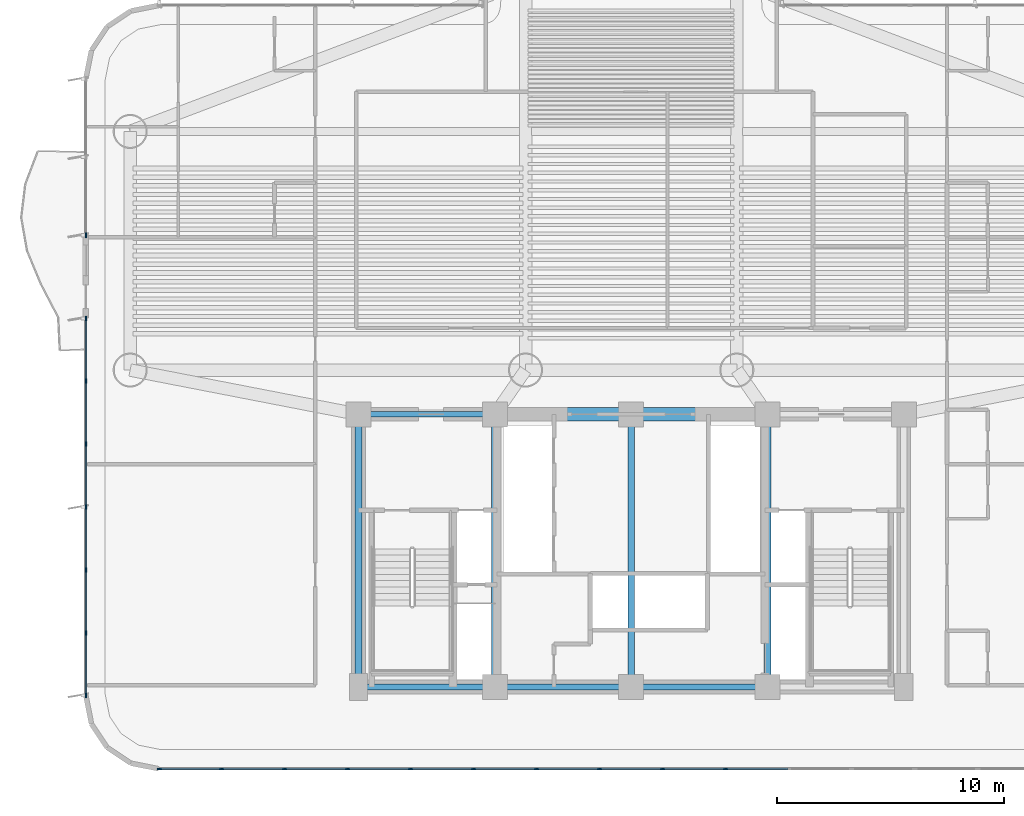
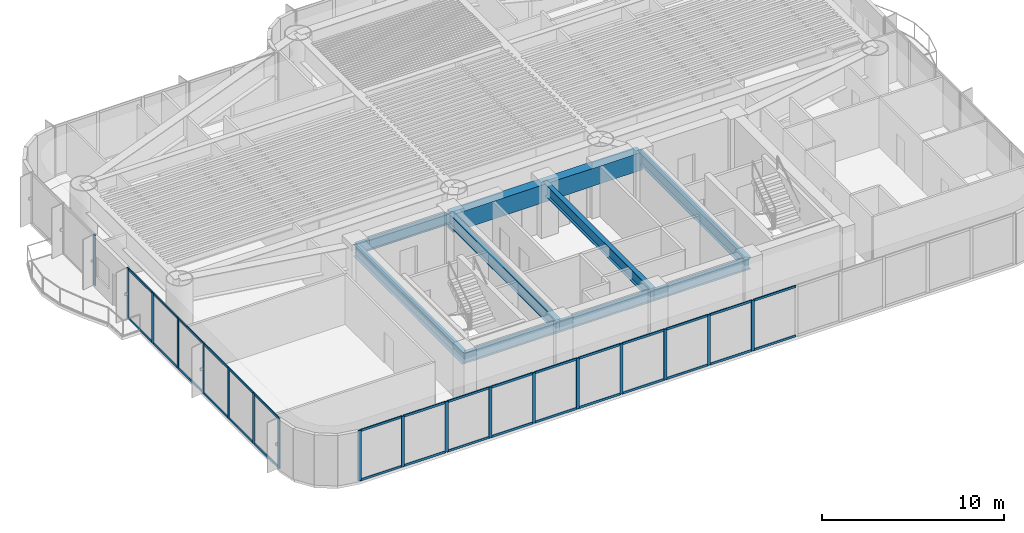
# One storey, part 2 of 17: 50 members, 9 beams, 3 elements without a shape of their own.
"""IFC4 building model written with IfcOpenShell, lengths in metres."""

from ifc_helpers import new_model, si_unit, direction, frame, origin, origin_2d, place, context, subcontext, project, spatial, rectangle, i_section, extrude, source, transform, mapped, material, layer, layer_set, material_profile, profile_set, type_object, element, aggregate, save


model = new_model("IFC4")

# Units and contexts
model_context = context("Model", 3, precision=1e-05, world=origin(), true_north=direction((0.0, 1.0)))
body_context = subcontext(model_context, "Body", "Model", "MODEL_VIEW")
ifc_project = project(units=[si_unit("LENGTHUNIT", "METRE"), si_unit("AREAUNIT", "SQUARE_METRE"), si_unit("VOLUMEUNIT", "CUBIC_METRE"), si_unit("PLANEANGLEUNIT", "RADIAN"), si_unit("MASSUNIT", "GRAM", prefix="KILO")], contexts=[model_context])

# Site, building, storey
site_placement = place(None, origin())
site = spatial("IfcSite", under=ifc_project, at=site_placement, CompositionType="ELEMENT")
building_placement = place(site_placement, origin())
building = spatial("IfcBuilding", under=site, at=building_placement, Name="Brelvock Crest Care Tower", CompositionType="ELEMENT")
storey_placement = place(building_placement, frame((0.0, 0.0, 76.139892578125)))
storey = spatial("IfcBuildingStorey", under=building, at=storey_placement, Name="L19", CompositionType="ELEMENT", Elevation=76.139892578125)

# Beams
ifc_material_1 = material(Name="Concrete S80 (80 MPa)", Category="concrete")
ifc_material_profile_1 = material_profile(ifc_material_1, rectangle(XDim=0.60009765625, YDim=1.199951171875, at=origin_2d()), Name="RC600x1200")
ifc_profile_set_1 = profile_set([ifc_material_profile_1], Name="Concrete S80 (80 MPa)")
beam_type_1 = type_object("IfcBeamType", Name="BM-LN1", PredefinedType="LINTEL", material=ifc_profile_set_1)
shared_shape_1 = source(origin(), body_context, "Body", "SweptSolid", [
    extrude(rectangle(XDim=0.60009765625, YDim=1.199951171875, at=origin_2d()), origin(), (0.0, 0.0, 1.0), 12.0),
])
beam_placement = place(storey_placement, frame((30.0, 18.0, 2.772216796875), z_axis=(1.0, 0.0, 0.0), x_axis=(0.0, 1.0, 0.0)))
element("IfcBeam", 1, at=beam_placement, inside=storey, type_object=beam_type_1, Name="L19 Core Coupling Lintel Beam", PredefinedType="LINTEL", context=body_context, shape_type="MappedRepresentation", body=[
    mapped(shared_shape_1, transform((0.0, 0.0, 0.0), x_axis=(1.0, 0.0, 0.0), y_axis=(0.0, 1.0, 0.0), z_axis=(0.0, 0.0, 1.0), scale=1.0)),
])
ifc_material_2 = material(Name="Steel Grade 350", Category="steel")
ifc_material_profile_2 = material_profile(ifc_material_2, i_section(OverallWidth=0.25, OverallDepth=0.699951171875, WebThickness=0.011962890625, FlangeThickness=0.02001953125, at=origin_2d()), Name="700WB150")
ifc_profile_set_2 = profile_set([ifc_material_profile_2], Name="Steel Grade 350")
beam_type_2 = type_object("IfcBeamType", Name="BM-G4", PredefinedType="BEAM", material=ifc_profile_set_2)
shared_shape_2 = source(origin(), body_context, "Body", "SweptSolid", [
    extrude(i_section(OverallWidth=0.25, OverallDepth=0.699951171875, WebThickness=0.011962890625, FlangeThickness=0.02001953125, at=origin_2d()), origin(), (0.0, 0.0, 1.0), 6.0),
])
for number, where, z_axis, x_axis, name in (
    (2, (24.0, 6.0, 3.022216796875), (1.0, 0.0, 0.0), (0.0, 1.0, 0.0), "BM-CORES-L19-1"),
    (3, (24.0, 18.0, 3.022216796875), (1.0, 0.0, 0.0), (0.0, 1.0, 0.0), "BM-COREN-L19-1"),
    (4, (30.0, 6.0, 3.022216796875), (1.0, 0.0, 0.0), (0.0, 1.0, 0.0), "BM-CORES-L19-2"),
    (5, (36.0, 6.0, 3.022216796875), (1.0, 0.0, 0.0), (0.0, 1.0, 0.0), "BM-CORES-L19-3"),
):
    element("IfcBeam", number, at=place(storey_placement, frame(where, z_axis=z_axis, x_axis=x_axis)), inside=storey, type_object=beam_type_2, Name=name, PredefinedType="BEAM", context=body_context, shape_type="MappedRepresentation", body=[
        mapped(shared_shape_2, transform((0.0, 0.0, 0.0), x_axis=(1.0, 0.0, 0.0), y_axis=(0.0, 1.0, 0.0), z_axis=(0.0, 0.0, 1.0), scale=1.0)),
    ])
ifc_material_profile_3 = material_profile(ifc_material_2, i_section(OverallWidth=0.300048828125, OverallDepth=0.800048828125, WebThickness=0.013916015625, FlangeThickness=0.02197265625, at=origin_2d()), Name="800WB192")
ifc_profile_set_3 = profile_set([ifc_material_profile_3], Name="Steel Grade 350")
beam_type_3 = type_object("IfcBeamType", Name="BM-G5", PredefinedType="BEAM", material=ifc_profile_set_3)
shared_shape_3 = source(origin(), body_context, "Body", "SweptSolid", [
    extrude(i_section(OverallWidth=0.300048828125, OverallDepth=0.800048828125, WebThickness=0.013916015625, FlangeThickness=0.02197265625, at=origin_2d()), origin(), (0.0, 0.0, 1.0), 12.0),
])
for number, where, z_axis, x_axis, name in (
    (6, (24.0, 6.0, 2.97216796875), (0.0, 1.0, 0.0), (-1.0, 0.0, 0.0), "BM-COREX-L19-1"),
    (7, (30.0, 6.0, 2.97216796875), (0.0, 1.0, 0.0), (-1.0, 0.0, 0.0), "BM-COREX-L19-2"),
    (8, (36.0, 6.0, 2.97216796875), (0.0, 1.0, 0.0), (-1.0, 0.0, 0.0), "BM-COREX-L19-3"),
    (9, (42.0, 6.0, 2.97216796875), (0.0, 1.0, 0.0), (-1.0, 0.0, 0.0), "BM-COREX-L19-4"),
):
    element("IfcBeam", number, at=place(storey_placement, frame(where, z_axis=z_axis, x_axis=x_axis)), inside=storey, type_object=beam_type_3, Name=name, PredefinedType="BEAM", context=body_context, shape_type="MappedRepresentation", body=[
        mapped(shared_shape_3, transform((0.0, 0.0, 0.0), x_axis=(1.0, 0.0, 0.0), y_axis=(0.0, 1.0, 0.0), z_axis=(0.0, 0.0, 1.0), scale=1.0)),
    ])

# Curtain wall, members
ifc_material_3 = material(Name="Dark Glass Double Glazed Low-E", Category="glass")
ifc_layer = layer(ifc_material_3, 0.195068359375, Name="CWS-2")
ifc_layer_set = layer_set([ifc_layer], Name="Dark Glass Double Glazed Low-E")
curtain_wall_type = type_object("IfcCurtainWallType", Name="CWS-2", PredefinedType="NOTDEFINED", material=ifc_layer_set)
curtain_wall_1_placement = place(storey_placement, origin())
curtain_wall_1 = element("IfcCurtainWall", 10, at=curtain_wall_1_placement, inside=storey, type_object=curtain_wall_type, Name="L19 Curtain Wall E08", PredefinedType="NOTDEFINED")
ifc_material_4 = material(Name="Aluminium 6063-T6", Category="aluminium")
ifc_material_profile_4 = material_profile(ifc_material_4, rectangle(XDim=0.06494140625, YDim=0.14990234375, at=origin_2d()), Name="ALU65x150")
ifc_profile_set_4 = profile_set([ifc_material_profile_4], Name="Aluminium 6063-T6")
member_type_1 = type_object("IfcMemberType", Name="CWT-1", PredefinedType="USERDEFINED", material=ifc_profile_set_4)
shared_shape_4 = source(origin(), body_context, "Body", "SweptSolid", [
    extrude(rectangle(XDim=0.06494140625, YDim=0.14990234375, at=origin_2d()), origin(), (0.0, 0.0, 1.0), 2.676025390625),
])
member_1_placement = place(storey_placement, frame((17.94091796875, 2.39990234375, 0.03271484375), z_axis=(-1.0, 0.0, 0.0), x_axis=(0.0, -1.0, 0.0)))
member_1 = element("IfcMember", 11, at=member_1_placement, type_object=member_type_1, Name="CW-2 transom 15.1", ObjectType="TRANSOM", PredefinedType="USERDEFINED", context=body_context, shape_type="MappedRepresentation", body=[
    mapped(shared_shape_4, transform((0.0, 0.0, 0.0), x_axis=(1.0, 0.0, 0.0), y_axis=(0.0, 1.0, 0.0), z_axis=(0.0, 0.0, 1.0), scale=1.0)),
])
member_2_placement = place(storey_placement, frame((17.94091796875, 2.39990234375, 3.339599609375), z_axis=(-1.0, 0.0, 0.0), x_axis=(0.0, -1.0, 0.0)))
member_2 = element("IfcMember", 12, at=member_2_placement, type_object=member_type_1, Name="CW-2 transom 15.2", ObjectType="TRANSOM", PredefinedType="USERDEFINED", context=body_context, shape_type="MappedRepresentation", body=[
    mapped(shared_shape_4, transform((0.0, 0.0, 0.0), x_axis=(1.0, 0.0, 0.0), y_axis=(0.0, 1.0, 0.0), z_axis=(0.0, 0.0, 1.0), scale=1.0)),
])
shared_shape_5 = source(origin(), body_context, "Body", "SweptSolid", [
    extrude(rectangle(XDim=0.06494140625, YDim=0.14990234375, at=origin_2d()), origin(), (0.0, 0.0, 1.0), 2.708251953125),
])
member_3_placement = place(storey_placement, frame((40.12744140625, 2.39990234375, 0.03271484375), z_axis=(-1.0, 0.0, 0.0), x_axis=(0.0, -1.0, 0.0)))
member_3 = element("IfcMember", 13, at=member_3_placement, type_object=member_type_1, Name="CW-2 transom 7.1", ObjectType="TRANSOM", PredefinedType="USERDEFINED", context=body_context, shape_type="MappedRepresentation", body=[
    mapped(shared_shape_5, transform((0.0, 0.0, 0.0), x_axis=(1.0, 0.0, 0.0), y_axis=(0.0, 1.0, 0.0), z_axis=(0.0, 0.0, 1.0), scale=1.0)),
])
member_4_placement = place(storey_placement, frame((40.12744140625, 2.39990234375, 3.339599609375), z_axis=(-1.0, 0.0, 0.0), x_axis=(0.0, -1.0, 0.0)))
member_4 = element("IfcMember", 14, at=member_4_placement, type_object=member_type_1, Name="CW-2 transom 7.2", ObjectType="TRANSOM", PredefinedType="USERDEFINED", context=body_context, shape_type="MappedRepresentation", body=[
    mapped(shared_shape_5, transform((0.0, 0.0, 0.0), x_axis=(1.0, 0.0, 0.0), y_axis=(0.0, 1.0, 0.0), z_axis=(0.0, 0.0, 1.0), scale=1.0)),
])
member_5_placement = place(storey_placement, frame((34.580810546875, 2.39990234375, 0.03271484375), z_axis=(-1.0, 0.0, 0.0), x_axis=(0.0, -1.0, 0.0)))
member_5 = element("IfcMember", 15, at=member_5_placement, type_object=member_type_1, Name="CW-2 transom 9.1", ObjectType="TRANSOM", PredefinedType="USERDEFINED", context=body_context, shape_type="MappedRepresentation", body=[
    mapped(shared_shape_5, transform((0.0, 0.0, 0.0), x_axis=(1.0, 0.0, 0.0), y_axis=(0.0, 1.0, 0.0), z_axis=(0.0, 0.0, 1.0), scale=1.0)),
])
member_6_placement = place(storey_placement, frame((34.580810546875, 2.39990234375, 3.339599609375), z_axis=(-1.0, 0.0, 0.0), x_axis=(0.0, -1.0, 0.0)))
member_6 = element("IfcMember", 16, at=member_6_placement, type_object=member_type_1, Name="CW-2 transom 9.2", ObjectType="TRANSOM", PredefinedType="USERDEFINED", context=body_context, shape_type="MappedRepresentation", body=[
    mapped(shared_shape_5, transform((0.0, 0.0, 0.0), x_axis=(1.0, 0.0, 0.0), y_axis=(0.0, 1.0, 0.0), z_axis=(0.0, 0.0, 1.0), scale=1.0)),
])
member_7_placement = place(storey_placement, frame((29.0341796875, 2.39990234375, 0.03271484375), z_axis=(-1.0, 0.0, 0.0), x_axis=(0.0, -1.0, 0.0)))
member_7 = element("IfcMember", 17, at=member_7_placement, type_object=member_type_1, Name="CW-2 transom 11.1", ObjectType="TRANSOM", PredefinedType="USERDEFINED", context=body_context, shape_type="MappedRepresentation", body=[
    mapped(shared_shape_5, transform((0.0, 0.0, 0.0), x_axis=(1.0, 0.0, 0.0), y_axis=(0.0, 1.0, 0.0), z_axis=(0.0, 0.0, 1.0), scale=1.0)),
])
member_8_placement = place(storey_placement, frame((29.0341796875, 2.39990234375, 3.339599609375), z_axis=(-1.0, 0.0, 0.0), x_axis=(0.0, -1.0, 0.0)))
member_8 = element("IfcMember", 18, at=member_8_placement, type_object=member_type_1, Name="CW-2 transom 11.2", ObjectType="TRANSOM", PredefinedType="USERDEFINED", context=body_context, shape_type="MappedRepresentation", body=[
    mapped(shared_shape_5, transform((0.0, 0.0, 0.0), x_axis=(1.0, 0.0, 0.0), y_axis=(0.0, 1.0, 0.0), z_axis=(0.0, 0.0, 1.0), scale=1.0)),
])
member_9_placement = place(storey_placement, frame((26.2607421875, 2.39990234375, 0.03271484375), z_axis=(-1.0, 0.0, 0.0), x_axis=(0.0, -1.0, 0.0)))
member_9 = element("IfcMember", 19, at=member_9_placement, type_object=member_type_1, Name="CW-2 transom 12.1", ObjectType="TRANSOM", PredefinedType="USERDEFINED", context=body_context, shape_type="MappedRepresentation", body=[
    mapped(shared_shape_5, transform((0.0, 0.0, 0.0), x_axis=(1.0, 0.0, 0.0), y_axis=(0.0, 1.0, 0.0), z_axis=(0.0, 0.0, 1.0), scale=1.0)),
])
member_10_placement = place(storey_placement, frame((26.2607421875, 2.39990234375, 3.339599609375), z_axis=(-1.0, 0.0, 0.0), x_axis=(0.0, -1.0, 0.0)))
member_10 = element("IfcMember", 20, at=member_10_placement, type_object=member_type_1, Name="CW-2 transom 12.2", ObjectType="TRANSOM", PredefinedType="USERDEFINED", context=body_context, shape_type="MappedRepresentation", body=[
    mapped(shared_shape_5, transform((0.0, 0.0, 0.0), x_axis=(1.0, 0.0, 0.0), y_axis=(0.0, 1.0, 0.0), z_axis=(0.0, 0.0, 1.0), scale=1.0)),
])
member_11_placement = place(storey_placement, frame((20.714111328125, 2.39990234375, 0.03271484375), z_axis=(-1.0, 0.0, 0.0), x_axis=(0.0, -1.0, 0.0)))
member_11 = element("IfcMember", 21, at=member_11_placement, type_object=member_type_1, Name="CW-2 transom 14.1", ObjectType="TRANSOM", PredefinedType="USERDEFINED", context=body_context, shape_type="MappedRepresentation", body=[
    mapped(shared_shape_5, transform((0.0, 0.0, 0.0), x_axis=(1.0, 0.0, 0.0), y_axis=(0.0, 1.0, 0.0), z_axis=(0.0, 0.0, 1.0), scale=1.0)),
])
member_12_placement = place(storey_placement, frame((20.714111328125, 2.39990234375, 3.339599609375), z_axis=(-1.0, 0.0, 0.0), x_axis=(0.0, -1.0, 0.0)))
member_12 = element("IfcMember", 22, at=member_12_placement, type_object=member_type_1, Name="CW-2 transom 14.2", ObjectType="TRANSOM", PredefinedType="USERDEFINED", context=body_context, shape_type="MappedRepresentation", body=[
    mapped(shared_shape_5, transform((0.0, 0.0, 0.0), x_axis=(1.0, 0.0, 0.0), y_axis=(0.0, 1.0, 0.0), z_axis=(0.0, 0.0, 1.0), scale=1.0)),
])
shared_shape_6 = source(origin(), body_context, "Body", "SweptSolid", [
    extrude(rectangle(XDim=0.06494140625, YDim=0.14990234375, at=origin_2d()), origin(), (0.0, 0.0, 1.0), 2.70849609375),
])
member_13_placement = place(storey_placement, frame((42.90087890625, 2.39990234375, 0.03271484375), z_axis=(-1.0, 0.0, 0.0), x_axis=(0.0, -1.0, 0.0)))
member_13 = element("IfcMember", 23, at=member_13_placement, type_object=member_type_1, Name="CW-2 transom 6.1", ObjectType="TRANSOM", PredefinedType="USERDEFINED", context=body_context, shape_type="MappedRepresentation", body=[
    mapped(shared_shape_6, transform((0.0, 0.0, 0.0), x_axis=(1.0, 0.0, 0.0), y_axis=(0.0, 1.0, 0.0), z_axis=(0.0, 0.0, 1.0), scale=1.0)),
])
member_14_placement = place(storey_placement, frame((42.90087890625, 2.39990234375, 3.339599609375), z_axis=(-1.0, 0.0, 0.0), x_axis=(0.0, -1.0, 0.0)))
member_14 = element("IfcMember", 24, at=member_14_placement, type_object=member_type_1, Name="CW-2 transom 6.2", ObjectType="TRANSOM", PredefinedType="USERDEFINED", context=body_context, shape_type="MappedRepresentation", body=[
    mapped(shared_shape_6, transform((0.0, 0.0, 0.0), x_axis=(1.0, 0.0, 0.0), y_axis=(0.0, 1.0, 0.0), z_axis=(0.0, 0.0, 1.0), scale=1.0)),
])
member_15_placement = place(storey_placement, frame((37.354248046875, 2.39990234375, 0.03271484375), z_axis=(-1.0, 0.0, 0.0), x_axis=(0.0, -1.0, 0.0)))
member_15 = element("IfcMember", 25, at=member_15_placement, type_object=member_type_1, Name="CW-2 transom 8.1", ObjectType="TRANSOM", PredefinedType="USERDEFINED", context=body_context, shape_type="MappedRepresentation", body=[
    mapped(shared_shape_6, transform((0.0, 0.0, 0.0), x_axis=(1.0, 0.0, 0.0), y_axis=(0.0, 1.0, 0.0), z_axis=(0.0, 0.0, 1.0), scale=1.0)),
])
member_16_placement = place(storey_placement, frame((37.354248046875, 2.39990234375, 3.339599609375), z_axis=(-1.0, 0.0, 0.0), x_axis=(0.0, -1.0, 0.0)))
member_16 = element("IfcMember", 26, at=member_16_placement, type_object=member_type_1, Name="CW-2 transom 8.2", ObjectType="TRANSOM", PredefinedType="USERDEFINED", context=body_context, shape_type="MappedRepresentation", body=[
    mapped(shared_shape_6, transform((0.0, 0.0, 0.0), x_axis=(1.0, 0.0, 0.0), y_axis=(0.0, 1.0, 0.0), z_axis=(0.0, 0.0, 1.0), scale=1.0)),
])
member_17_placement = place(storey_placement, frame((31.8076171875, 2.39990234375, 0.03271484375), z_axis=(-1.0, 0.0, 0.0), x_axis=(0.0, -1.0, 0.0)))
member_17 = element("IfcMember", 27, at=member_17_placement, type_object=member_type_1, Name="CW-2 transom 10.1", ObjectType="TRANSOM", PredefinedType="USERDEFINED", context=body_context, shape_type="MappedRepresentation", body=[
    mapped(shared_shape_6, transform((0.0, 0.0, 0.0), x_axis=(1.0, 0.0, 0.0), y_axis=(0.0, 1.0, 0.0), z_axis=(0.0, 0.0, 1.0), scale=1.0)),
])
member_18_placement = place(storey_placement, frame((31.8076171875, 2.39990234375, 3.339599609375), z_axis=(-1.0, 0.0, 0.0), x_axis=(0.0, -1.0, 0.0)))
member_18 = element("IfcMember", 28, at=member_18_placement, type_object=member_type_1, Name="CW-2 transom 10.2", ObjectType="TRANSOM", PredefinedType="USERDEFINED", context=body_context, shape_type="MappedRepresentation", body=[
    mapped(shared_shape_6, transform((0.0, 0.0, 0.0), x_axis=(1.0, 0.0, 0.0), y_axis=(0.0, 1.0, 0.0), z_axis=(0.0, 0.0, 1.0), scale=1.0)),
])
member_19_placement = place(storey_placement, frame((23.487548828125, 2.39990234375, 0.03271484375), z_axis=(-1.0, 0.0, 0.0), x_axis=(0.0, -1.0, 0.0)))
member_19 = element("IfcMember", 29, at=member_19_placement, type_object=member_type_1, Name="CW-2 transom 13.1", ObjectType="TRANSOM", PredefinedType="USERDEFINED", context=body_context, shape_type="MappedRepresentation", body=[
    mapped(shared_shape_6, transform((0.0, 0.0, 0.0), x_axis=(1.0, 0.0, 0.0), y_axis=(0.0, 1.0, 0.0), z_axis=(0.0, 0.0, 1.0), scale=1.0)),
])
member_20_placement = place(storey_placement, frame((23.487548828125, 2.39990234375, 3.339599609375), z_axis=(-1.0, 0.0, 0.0), x_axis=(0.0, -1.0, 0.0)))
member_20 = element("IfcMember", 30, at=member_20_placement, type_object=member_type_1, Name="CW-2 transom 13.2", ObjectType="TRANSOM", PredefinedType="USERDEFINED", context=body_context, shape_type="MappedRepresentation", body=[
    mapped(shared_shape_6, transform((0.0, 0.0, 0.0), x_axis=(1.0, 0.0, 0.0), y_axis=(0.0, 1.0, 0.0), z_axis=(0.0, 0.0, 1.0), scale=1.0)),
])

curtain_wall_2_placement = place(storey_placement, origin())
curtain_wall_2 = element("IfcCurtainWall", 31, at=curtain_wall_2_placement, inside=storey, type_object=curtain_wall_type, Name="L19 Curtain Wall E13A", PredefinedType="NOTDEFINED")
shared_shape_7 = source(origin(), body_context, "Body", "SweptSolid", [
    extrude(rectangle(XDim=0.06494140625, YDim=0.14990234375, at=origin_2d()), origin(), (0.0, 0.0, 1.0), 2.677490234375),
])
member_21_placement = place(storey_placement, frame((12.0, 5.6650390625, 0.03271484375), z_axis=(0.0, 1.0, 0.0), x_axis=(-1.0, 0.0, 0.0)))
member_21 = element("IfcMember", 32, at=member_21_placement, type_object=member_type_1, Name="CW-2 transom 1.1", ObjectType="TRANSOM", PredefinedType="USERDEFINED", context=body_context, shape_type="MappedRepresentation", body=[
    mapped(shared_shape_7, transform((0.0, 0.0, 0.0), x_axis=(1.0, 0.0, 0.0), y_axis=(0.0, 1.0, 0.0), z_axis=(0.0, 0.0, 1.0), scale=1.0)),
])
member_22_placement = place(storey_placement, frame((12.0, 5.6650390625, 3.339599609375), z_axis=(0.0, 1.0, 0.0), x_axis=(-1.0, 0.0, 0.0)))
member_22 = element("IfcMember", 33, at=member_22_placement, type_object=member_type_1, Name="CW-2 transom 1.2", ObjectType="TRANSOM", PredefinedType="USERDEFINED", context=body_context, shape_type="MappedRepresentation", body=[
    mapped(shared_shape_7, transform((0.0, 0.0, 0.0), x_axis=(1.0, 0.0, 0.0), y_axis=(0.0, 1.0, 0.0), z_axis=(0.0, 0.0, 1.0), scale=1.0)),
])
member_23_placement = place(storey_placement, frame((12.0, 19.507568359375, 0.03271484375), z_axis=(0.0, 1.0, 0.0), x_axis=(-1.0, 0.0, 0.0)))
member_23 = element("IfcMember", 34, at=member_23_placement, type_object=member_type_1, Name="CW-2 transom 6.1", ObjectType="TRANSOM", PredefinedType="USERDEFINED", context=body_context, shape_type="MappedRepresentation", body=[
    mapped(shared_shape_7, transform((0.0, 0.0, 0.0), x_axis=(1.0, 0.0, 0.0), y_axis=(0.0, 1.0, 0.0), z_axis=(0.0, 0.0, 1.0), scale=1.0)),
])
member_24_placement = place(storey_placement, frame((12.0, 19.507568359375, 3.339599609375), z_axis=(0.0, 1.0, 0.0), x_axis=(-1.0, 0.0, 0.0)))
member_24 = element("IfcMember", 35, at=member_24_placement, type_object=member_type_1, Name="CW-2 transom 6.2", ObjectType="TRANSOM", PredefinedType="USERDEFINED", context=body_context, shape_type="MappedRepresentation", body=[
    mapped(shared_shape_7, transform((0.0, 0.0, 0.0), x_axis=(1.0, 0.0, 0.0), y_axis=(0.0, 1.0, 0.0), z_axis=(0.0, 0.0, 1.0), scale=1.0)),
])
shared_shape_8 = source(origin(), body_context, "Body", "SweptSolid", [
    extrude(rectangle(XDim=0.06494140625, YDim=0.14990234375, at=origin_2d()), origin(), (0.0, 0.0, 1.0), 2.7099609375),
])
member_25_placement = place(storey_placement, frame((12.0, 8.407470703125, 0.03271484375), z_axis=(0.0, 1.0, 0.0), x_axis=(-1.0, 0.0, 0.0)))
member_25 = element("IfcMember", 36, at=member_25_placement, type_object=member_type_1, Name="CW-2 transom 2.1", ObjectType="TRANSOM", PredefinedType="USERDEFINED", context=body_context, shape_type="MappedRepresentation", body=[
    mapped(shared_shape_8, transform((0.0, 0.0, 0.0), x_axis=(1.0, 0.0, 0.0), y_axis=(0.0, 1.0, 0.0), z_axis=(0.0, 0.0, 1.0), scale=1.0)),
])
member_26_placement = place(storey_placement, frame((12.0, 8.407470703125, 3.339599609375), z_axis=(0.0, 1.0, 0.0), x_axis=(-1.0, 0.0, 0.0)))
member_26 = element("IfcMember", 37, at=member_26_placement, type_object=member_type_1, Name="CW-2 transom 2.2", ObjectType="TRANSOM", PredefinedType="USERDEFINED", context=body_context, shape_type="MappedRepresentation", body=[
    mapped(shared_shape_8, transform((0.0, 0.0, 0.0), x_axis=(1.0, 0.0, 0.0), y_axis=(0.0, 1.0, 0.0), z_axis=(0.0, 0.0, 1.0), scale=1.0)),
])
member_27_placement = place(storey_placement, frame((12.0, 11.1826171875, 0.03271484375), z_axis=(0.0, 1.0, 0.0), x_axis=(-1.0, 0.0, 0.0)))
member_27 = element("IfcMember", 38, at=member_27_placement, type_object=member_type_1, Name="CW-2 transom 3.1", ObjectType="TRANSOM", PredefinedType="USERDEFINED", context=body_context, shape_type="MappedRepresentation", body=[
    mapped(shared_shape_8, transform((0.0, 0.0, 0.0), x_axis=(1.0, 0.0, 0.0), y_axis=(0.0, 1.0, 0.0), z_axis=(0.0, 0.0, 1.0), scale=1.0)),
])
member_28_placement = place(storey_placement, frame((12.0, 11.1826171875, 3.339599609375), z_axis=(0.0, 1.0, 0.0), x_axis=(-1.0, 0.0, 0.0)))
member_28 = element("IfcMember", 39, at=member_28_placement, type_object=member_type_1, Name="CW-2 transom 3.2", ObjectType="TRANSOM", PredefinedType="USERDEFINED", context=body_context, shape_type="MappedRepresentation", body=[
    mapped(shared_shape_8, transform((0.0, 0.0, 0.0), x_axis=(1.0, 0.0, 0.0), y_axis=(0.0, 1.0, 0.0), z_axis=(0.0, 0.0, 1.0), scale=1.0)),
])
member_29_placement = place(storey_placement, frame((12.0, 13.95751953125, 0.03271484375), z_axis=(0.0, 1.0, 0.0), x_axis=(-1.0, 0.0, 0.0)))
member_29 = element("IfcMember", 40, at=member_29_placement, type_object=member_type_1, Name="CW-2 transom 4.1", ObjectType="TRANSOM", PredefinedType="USERDEFINED", context=body_context, shape_type="MappedRepresentation", body=[
    mapped(shared_shape_8, transform((0.0, 0.0, 0.0), x_axis=(1.0, 0.0, 0.0), y_axis=(0.0, 1.0, 0.0), z_axis=(0.0, 0.0, 1.0), scale=1.0)),
])
member_30_placement = place(storey_placement, frame((12.0, 13.95751953125, 3.339599609375), z_axis=(0.0, 1.0, 0.0), x_axis=(-1.0, 0.0, 0.0)))
member_30 = element("IfcMember", 41, at=member_30_placement, type_object=member_type_1, Name="CW-2 transom 4.2", ObjectType="TRANSOM", PredefinedType="USERDEFINED", context=body_context, shape_type="MappedRepresentation", body=[
    mapped(shared_shape_8, transform((0.0, 0.0, 0.0), x_axis=(1.0, 0.0, 0.0), y_axis=(0.0, 1.0, 0.0), z_axis=(0.0, 0.0, 1.0), scale=1.0)),
])
member_31_placement = place(storey_placement, frame((12.0, 16.732421875, 0.03271484375), z_axis=(0.0, 1.0, 0.0), x_axis=(-1.0, 0.0, 0.0)))
member_31 = element("IfcMember", 42, at=member_31_placement, type_object=member_type_1, Name="CW-2 transom 5.1", ObjectType="TRANSOM", PredefinedType="USERDEFINED", context=body_context, shape_type="MappedRepresentation", body=[
    mapped(shared_shape_8, transform((0.0, 0.0, 0.0), x_axis=(1.0, 0.0, 0.0), y_axis=(0.0, 1.0, 0.0), z_axis=(0.0, 0.0, 1.0), scale=1.0)),
])
member_32_placement = place(storey_placement, frame((12.0, 16.732421875, 3.339599609375), z_axis=(0.0, 1.0, 0.0), x_axis=(-1.0, 0.0, 0.0)))
member_32 = element("IfcMember", 43, at=member_32_placement, type_object=member_type_1, Name="CW-2 transom 5.2", ObjectType="TRANSOM", PredefinedType="USERDEFINED", context=body_context, shape_type="MappedRepresentation", body=[
    mapped(shared_shape_8, transform((0.0, 0.0, 0.0), x_axis=(1.0, 0.0, 0.0), y_axis=(0.0, 1.0, 0.0), z_axis=(0.0, 0.0, 1.0), scale=1.0)),
])

# Member
ifc_material_profile_5 = material_profile(ifc_material_4, rectangle(XDim=0.06494140625, YDim=0.199951171875, at=origin_2d()), Name="ALU65x200")
ifc_profile_set_5 = profile_set([ifc_material_profile_5], Name="Aluminium 6063-T6")
member_type_2 = type_object("IfcMemberType", Name="CWM-1", PredefinedType="MULLION", material=ifc_profile_set_5)
shared_shape_9 = source(origin(), body_context, "Body", "SweptSolid", [
    extrude(rectangle(XDim=0.06494140625, YDim=0.199951171875, at=origin_2d()), origin(), (0.0, 0.0, 1.0), 3.3720703125),
])
member_33_placement = place(storey_placement, frame((40.159912109375, 2.39990234375, 0.0), z_axis=(0.0, 0.0, 1.0), x_axis=(0.0, -1.0, 0.0)))
member_33 = element("IfcMember", 44, at=member_33_placement, type_object=member_type_2, Name="CW-2 mullion 7", PredefinedType="MULLION", context=body_context, shape_type="MappedRepresentation", body=[
    mapped(shared_shape_9, transform((0.0, 0.0, 0.0), x_axis=(1.0, 0.0, 0.0), y_axis=(0.0, 1.0, 0.0), z_axis=(0.0, 0.0, 1.0), scale=1.0)),
])

member_34_placement = place(storey_placement, frame((37.38671875, 2.39990234375, 0.0), z_axis=(0.0, 0.0, 1.0), x_axis=(0.0, -1.0, 0.0)))
member_34 = element("IfcMember", 45, at=member_34_placement, type_object=member_type_2, Name="CW-2 mullion 8", PredefinedType="MULLION", context=body_context, shape_type="MappedRepresentation", body=[
    mapped(shared_shape_9, transform((0.0, 0.0, 0.0), x_axis=(1.0, 0.0, 0.0), y_axis=(0.0, 1.0, 0.0), z_axis=(0.0, 0.0, 1.0), scale=1.0)),
])

member_35_placement = place(storey_placement, frame((34.61328125, 2.39990234375, 0.0), z_axis=(0.0, 0.0, 1.0), x_axis=(0.0, -1.0, 0.0)))
member_35 = element("IfcMember", 46, at=member_35_placement, type_object=member_type_2, Name="CW-2 mullion 9", PredefinedType="MULLION", context=body_context, shape_type="MappedRepresentation", body=[
    mapped(shared_shape_9, transform((0.0, 0.0, 0.0), x_axis=(1.0, 0.0, 0.0), y_axis=(0.0, 1.0, 0.0), z_axis=(0.0, 0.0, 1.0), scale=1.0)),
])

member_36_placement = place(storey_placement, frame((31.840087890625, 2.39990234375, 0.0), z_axis=(0.0, 0.0, 1.0), x_axis=(0.0, -1.0, 0.0)))
member_36 = element("IfcMember", 47, at=member_36_placement, type_object=member_type_2, Name="CW-2 mullion 10", PredefinedType="MULLION", context=body_context, shape_type="MappedRepresentation", body=[
    mapped(shared_shape_9, transform((0.0, 0.0, 0.0), x_axis=(1.0, 0.0, 0.0), y_axis=(0.0, 1.0, 0.0), z_axis=(0.0, 0.0, 1.0), scale=1.0)),
])

member_37_placement = place(storey_placement, frame((29.066650390625, 2.39990234375, 0.0), z_axis=(0.0, 0.0, 1.0), x_axis=(0.0, -1.0, 0.0)))
member_37 = element("IfcMember", 48, at=member_37_placement, type_object=member_type_2, Name="CW-2 mullion 11", PredefinedType="MULLION", context=body_context, shape_type="MappedRepresentation", body=[
    mapped(shared_shape_9, transform((0.0, 0.0, 0.0), x_axis=(1.0, 0.0, 0.0), y_axis=(0.0, 1.0, 0.0), z_axis=(0.0, 0.0, 1.0), scale=1.0)),
])

member_38_placement = place(storey_placement, frame((26.293212890625, 2.39990234375, 0.0), z_axis=(0.0, 0.0, 1.0), x_axis=(0.0, -1.0, 0.0)))
member_38 = element("IfcMember", 49, at=member_38_placement, type_object=member_type_2, Name="CW-2 mullion 12", PredefinedType="MULLION", context=body_context, shape_type="MappedRepresentation", body=[
    mapped(shared_shape_9, transform((0.0, 0.0, 0.0), x_axis=(1.0, 0.0, 0.0), y_axis=(0.0, 1.0, 0.0), z_axis=(0.0, 0.0, 1.0), scale=1.0)),
])

member_39_placement = place(storey_placement, frame((23.52001953125, 2.39990234375, 0.0), z_axis=(0.0, 0.0, 1.0), x_axis=(0.0, -1.0, 0.0)))
member_39 = element("IfcMember", 50, at=member_39_placement, type_object=member_type_2, Name="CW-2 mullion 13", PredefinedType="MULLION", context=body_context, shape_type="MappedRepresentation", body=[
    mapped(shared_shape_9, transform((0.0, 0.0, 0.0), x_axis=(1.0, 0.0, 0.0), y_axis=(0.0, 1.0, 0.0), z_axis=(0.0, 0.0, 1.0), scale=1.0)),
])

member_40_placement = place(storey_placement, frame((20.74658203125, 2.39990234375, 0.0), z_axis=(0.0, 0.0, 1.0), x_axis=(0.0, -1.0, 0.0)))
member_40 = element("IfcMember", 51, at=member_40_placement, type_object=member_type_2, Name="CW-2 mullion 14", PredefinedType="MULLION", context=body_context, shape_type="MappedRepresentation", body=[
    mapped(shared_shape_9, transform((0.0, 0.0, 0.0), x_axis=(1.0, 0.0, 0.0), y_axis=(0.0, 1.0, 0.0), z_axis=(0.0, 0.0, 1.0), scale=1.0)),
])

member_41_placement = place(storey_placement, frame((17.973388671875, 2.39990234375, 0.0), z_axis=(0.0, 0.0, 1.0), x_axis=(0.0, -1.0, 0.0)))
member_41 = element("IfcMember", 52, at=member_41_placement, type_object=member_type_2, Name="CW-2 mullion 15", PredefinedType="MULLION", context=body_context, shape_type="MappedRepresentation", body=[
    mapped(shared_shape_9, transform((0.0, 0.0, 0.0), x_axis=(1.0, 0.0, 0.0), y_axis=(0.0, 1.0, 0.0), z_axis=(0.0, 0.0, 1.0), scale=1.0)),
])

member_42_placement = place(storey_placement, frame((15.232421875, 2.39990234375, 0.0), z_axis=(0.0, 0.0, 1.0), x_axis=(0.0, -1.0, 0.0)))
member_42 = element("IfcMember", 53, at=member_42_placement, type_object=member_type_2, Name="CW-2 mullion 16", PredefinedType="MULLION", context=body_context, shape_type="MappedRepresentation", body=[
    mapped(shared_shape_9, transform((0.0, 0.0, 0.0), x_axis=(1.0, 0.0, 0.0), y_axis=(0.0, 1.0, 0.0), z_axis=(0.0, 0.0, 1.0), scale=1.0)),
])

aggregate(curtain_wall_1, [member_33, member_34, member_35, member_36, member_37, member_38, member_39, member_40, member_41, member_42, member_13, member_14, member_3, member_4, member_15, member_16, member_5, member_6, member_17, member_18, member_7, member_8, member_9, member_10, member_19, member_20, member_11, member_12, member_1, member_2])

member_43_placement = place(storey_placement, frame((12.0, 5.632568359375, 0.0), z_axis=(0.0, 0.0, 1.0), x_axis=(-1.0, 0.0, 0.0)))
member_43 = element("IfcMember", 54, at=member_43_placement, type_object=member_type_2, Name="CW-2 mullion 1", PredefinedType="MULLION", context=body_context, shape_type="MappedRepresentation", body=[
    mapped(shared_shape_9, transform((0.0, 0.0, 0.0), x_axis=(1.0, 0.0, 0.0), y_axis=(0.0, 1.0, 0.0), z_axis=(0.0, 0.0, 1.0), scale=1.0)),
])

member_44_placement = place(storey_placement, frame((12.0, 8.375, 0.0), z_axis=(0.0, 0.0, 1.0), x_axis=(-1.0, 0.0, 0.0)))
member_44 = element("IfcMember", 55, at=member_44_placement, type_object=member_type_2, Name="CW-2 mullion 2", PredefinedType="MULLION", context=body_context, shape_type="MappedRepresentation", body=[
    mapped(shared_shape_9, transform((0.0, 0.0, 0.0), x_axis=(1.0, 0.0, 0.0), y_axis=(0.0, 1.0, 0.0), z_axis=(0.0, 0.0, 1.0), scale=1.0)),
])

member_45_placement = place(storey_placement, frame((12.0, 11.14990234375, 0.0), z_axis=(0.0, 0.0, 1.0), x_axis=(-1.0, 0.0, 0.0)))
member_45 = element("IfcMember", 56, at=member_45_placement, type_object=member_type_2, Name="CW-2 mullion 3", PredefinedType="MULLION", context=body_context, shape_type="MappedRepresentation", body=[
    mapped(shared_shape_9, transform((0.0, 0.0, 0.0), x_axis=(1.0, 0.0, 0.0), y_axis=(0.0, 1.0, 0.0), z_axis=(0.0, 0.0, 1.0), scale=1.0)),
])

member_46_placement = place(storey_placement, frame((12.0, 13.925048828125, 0.0), z_axis=(0.0, 0.0, 1.0), x_axis=(-1.0, 0.0, 0.0)))
member_46 = element("IfcMember", 57, at=member_46_placement, type_object=member_type_2, Name="CW-2 mullion 4", PredefinedType="MULLION", context=body_context, shape_type="MappedRepresentation", body=[
    mapped(shared_shape_9, transform((0.0, 0.0, 0.0), x_axis=(1.0, 0.0, 0.0), y_axis=(0.0, 1.0, 0.0), z_axis=(0.0, 0.0, 1.0), scale=1.0)),
])

member_47_placement = place(storey_placement, frame((12.0, 16.699951171875, 0.0), z_axis=(0.0, 0.0, 1.0), x_axis=(-1.0, 0.0, 0.0)))
member_47 = element("IfcMember", 58, at=member_47_placement, type_object=member_type_2, Name="CW-2 mullion 5", PredefinedType="MULLION", context=body_context, shape_type="MappedRepresentation", body=[
    mapped(shared_shape_9, transform((0.0, 0.0, 0.0), x_axis=(1.0, 0.0, 0.0), y_axis=(0.0, 1.0, 0.0), z_axis=(0.0, 0.0, 1.0), scale=1.0)),
])

member_48_placement = place(storey_placement, frame((12.0, 19.47509765625, 0.0), z_axis=(0.0, 0.0, 1.0), x_axis=(-1.0, 0.0, 0.0)))
member_48 = element("IfcMember", 59, at=member_48_placement, type_object=member_type_2, Name="CW-2 mullion 6", PredefinedType="MULLION", context=body_context, shape_type="MappedRepresentation", body=[
    mapped(shared_shape_9, transform((0.0, 0.0, 0.0), x_axis=(1.0, 0.0, 0.0), y_axis=(0.0, 1.0, 0.0), z_axis=(0.0, 0.0, 1.0), scale=1.0)),
])

member_49_placement = place(storey_placement, frame((12.0, 22.217529296875, 0.0), z_axis=(0.0, 0.0, 1.0), x_axis=(-1.0, 0.0, 0.0)))
member_49 = element("IfcMember", 60, at=member_49_placement, type_object=member_type_2, Name="CW-2 mullion 7", PredefinedType="MULLION", context=body_context, shape_type="MappedRepresentation", body=[
    mapped(shared_shape_9, transform((0.0, 0.0, 0.0), x_axis=(1.0, 0.0, 0.0), y_axis=(0.0, 1.0, 0.0), z_axis=(0.0, 0.0, 1.0), scale=1.0)),
])

aggregate(curtain_wall_2, [member_43, member_44, member_45, member_46, member_47, member_48, member_49, member_21, member_22, member_25, member_26, member_27, member_28, member_29, member_30, member_31, member_32, member_23, member_24])

# Curtain wall, member
curtain_wall_3_placement = place(storey_placement, origin())
curtain_wall_3 = element("IfcCurtainWall", 61, at=curtain_wall_3_placement, inside=storey, type_object=curtain_wall_type, Name="L19 Curtain Wall E13B", PredefinedType="NOTDEFINED")
member_50_placement = place(storey_placement, frame((12.0, 25.882568359375, 0.0), z_axis=(0.0, 0.0, 1.0), x_axis=(-1.0, 0.0, 0.0)))
member_50 = element("IfcMember", 62, at=member_50_placement, type_object=member_type_2, Name="CW-2 mullion 1", PredefinedType="MULLION", context=body_context, shape_type="MappedRepresentation", body=[
    mapped(shared_shape_9, transform((0.0, 0.0, 0.0), x_axis=(1.0, 0.0, 0.0), y_axis=(0.0, 1.0, 0.0), z_axis=(0.0, 0.0, 1.0), scale=1.0)),
])
aggregate(curtain_wall_3, [member_50])

save(model, "model.ifc")
